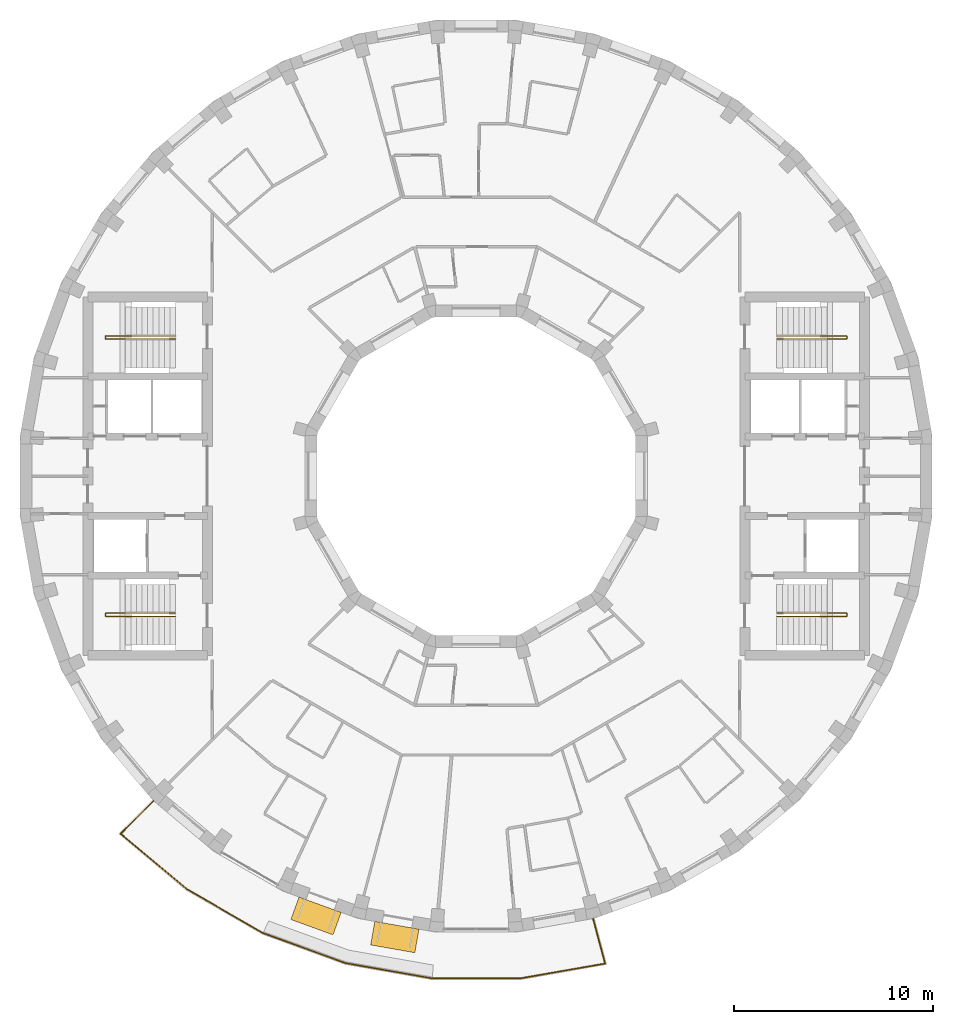
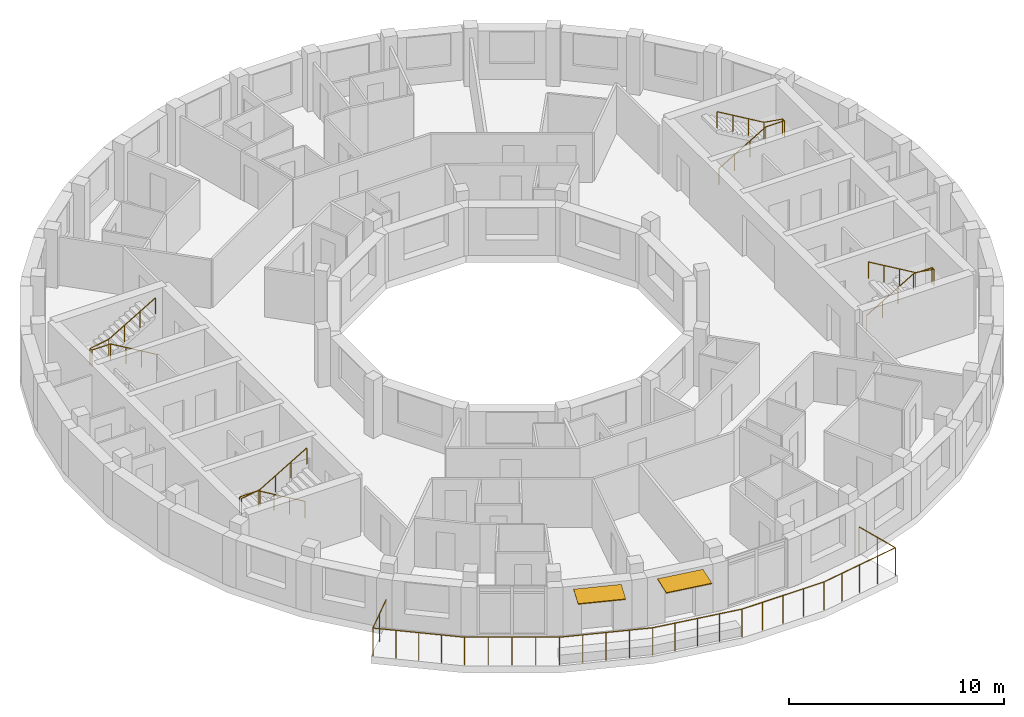
# One storey, part 12 of 12: 5 railings, 2 shading devices.
"""IFC4 building model written with IfcOpenShell, lengths in metres."""

from ifc_helpers import new_model, si_unit, direction, frame, origin, origin_2d, place, context, subcontext, project, spatial, rectangle, circle, extrude, material, layer, layer_set, type_object, element, save


model = new_model("IFC4")

# Units and contexts
model_context = context("Model", 3, precision=1e-05, world=origin(), true_north=direction((0.0, 1.0)))
body_context = subcontext(model_context, "Body", "Model", "MODEL_VIEW")
ifc_project = project(units=[si_unit("LENGTHUNIT", "METRE"), si_unit("AREAUNIT", "SQUARE_METRE"), si_unit("VOLUMEUNIT", "CUBIC_METRE"), si_unit("PLANEANGLEUNIT", "RADIAN"), si_unit("MASSUNIT", "GRAM", prefix="KILO")], contexts=[model_context])

# Site, building, storey
site_placement = place(None, origin())
site = spatial("IfcSite", under=ifc_project, at=site_placement, CompositionType="ELEMENT")
building_placement = place(site_placement, origin())
building = spatial("IfcBuilding", under=site, at=building_placement, Name="Saqina Gate Tower", CompositionType="ELEMENT")
storey_placement = place(building_placement, frame((0.0, 0.0, 275.89990234375)))
storey = spatial("IfcBuildingStorey", under=building, at=storey_placement, Name="L79", CompositionType="ELEMENT", Elevation=275.89990234375)

# Shading devices
ifc_material_1 = material(Name="Aluminium and fabric awning", Category="aluminium")
ifc_layer = layer(ifc_material_1, 0.050048828125)
ifc_layer_set = layer_set([ifc_layer], Name="AW-TERRACE")
shading_device_type = type_object("IfcShadingDeviceType", Name="AW-TERRACE", PredefinedType="AWNING", material=ifc_layer_set)
for number, where, z_axis, x_axis, name in (
    (1, (-8.041748046875, -22.094482421875, 2.52490234375), (0.0, 0.0, 1.0), (0.939692620786, -0.342020143326, 0.0), "Terrace awning L79 facet 25"),
    (2, (-4.0830078125, -23.1552734375, 2.52490234375), (0.0, 0.0, 1.0), (0.984807753012, -0.173648177667, 0.0), "Terrace awning L79 facet 26"),
):
    element("IfcShadingDevice", number, at=place(storey_placement, frame(where, z_axis=z_axis, x_axis=x_axis)), inside=storey, type_object=shading_device_type, Name=name, PredefinedType="AWNING", context=body_context, shape_type="SweptSolid", body=[
        extrude(rectangle(XDim=2.251708984375, YDim=1.199951171875, at=origin_2d()), origin(), (0.0, 0.0, 1.0), 0.050048828125),
    ])

# Railings
ifc_material_2 = material(Name="Stainless steel", Category="steel")
railing_type_1 = type_object("IfcRailingType", Name="RL-TERRACE", PredefinedType="GUARDRAIL", material=ifc_material_2)
railing_1_placement = place(storey_placement, frame((-16.16455078125, -16.277587890625, 0.0)))
element("IfcRailing", 3, at=railing_1_placement, inside=storey, type_object=railing_type_1, Name="Terrace guard L79", PredefinedType="GUARDRAIL", context=body_context, shape_type="SweptSolid", body=[
    extrude(circle(Radius=0.02392578125, at=origin_2d()), frame((0.0, 0.0, 1.576171875), z_axis=(-0.707055676733, -0.707157881947, 0.0), x_axis=(0.707157881947, -0.707055676733, 0.0)), (0.0, 0.0, 1.0), 2.388671875),
    extrude(circle(Radius=0.02392578125, at=origin_2d()), frame((-1.68896484375, -1.689208984375, 1.576171875), z_axis=(0.76705217952, -0.641584720745, 0.0), x_axis=(0.641584720745, 0.76705217952, 0.0)), (0.0, 0.0, 1.0), 4.33544921875),
    extrude(circle(Radius=0.02392578125, at=origin_2d()), frame((1.636474609375, -4.470703125, 1.576171875), z_axis=(0.866036415623, -0.49998092645, 0.0), x_axis=(0.49998092645, 0.866036415623, 0.0)), (0.0, 0.0, 1.0), 4.415283203125),
    extrude(circle(Radius=0.02392578125, at=origin_2d()), frame((5.460205078125, -6.67822265625, 1.576171875), z_axis=(0.93969166445, -0.342022770825, 0.0), x_axis=(0.342022770825, 0.93969166445, 0.0)), (0.0, 0.0, 1.0), 4.4150390625),
    extrude(circle(Radius=0.02392578125, at=origin_2d()), frame((9.60888671875, -8.188232421875, 1.576171875), z_axis=(0.984811379451, -0.173627609853, 0.0), x_axis=(0.173627609853, 0.984811379451, 0.0)), (0.0, 0.0, 1.0), 4.415283203125),
    extrude(circle(Radius=0.02392578125, at=origin_2d()), frame((13.95703125, -8.954833984375, 1.576171875), z_axis=(1.0, 0.0, 0.0), x_axis=(0.0, 1.0, 0.0)), (0.0, 0.0, 1.0), 4.4150390625),
    extrude(circle(Radius=0.02392578125, at=origin_2d()), frame((18.3720703125, -8.954833984375, 1.576171875), z_axis=(0.985090409093, 0.172037454969, 0.0), x_axis=(-0.172037454969, 0.985090409093, 0.0)), (0.0, 0.0, 1.0), 4.33544921875),
    extrude(circle(Radius=0.02392578125, at=origin_2d()), frame((22.642822265625, -8.208984375, 1.576171875), z_axis=(-0.258756517988, 0.96594257821, 0.0), x_axis=(-0.96594257821, -0.258756517988, 0.0)), (0.0, 0.0, 1.0), 2.388916015625),
    extrude(circle(Radius=0.02099609375, at=origin_2d()), origin(), (0.0, 0.0, 1.0), 1.552001953125),
    extrude(circle(Radius=0.02099609375, at=origin_2d()), frame((-0.844482421875, -0.8447265625, 0.0)), (0.0, 0.0, 1.0), 1.552001953125),
    extrude(circle(Radius=0.02099609375, at=origin_2d()), frame((-1.68896484375, -1.689208984375, 0.0)), (0.0, 0.0, 1.0), 1.552001953125),
    extrude(circle(Radius=0.02099609375, at=origin_2d()), frame((-0.857666015625, -2.384521484375, 0.0)), (0.0, 0.0, 1.0), 1.552001953125),
    extrude(circle(Radius=0.02099609375, at=origin_2d()), frame((-0.0263671875, -3.080078125, 0.0)), (0.0, 0.0, 1.0), 1.552001953125),
    extrude(circle(Radius=0.02099609375, at=origin_2d()), frame((0.80517578125, -3.775390625, 0.0)), (0.0, 0.0, 1.0), 1.552001953125),
    extrude(circle(Radius=0.02099609375, at=origin_2d()), frame((1.636474609375, -4.470703125, 0.0)), (0.0, 0.0, 1.0), 1.552001953125),
    extrude(circle(Radius=0.02099609375, at=origin_2d()), frame((2.59228515625, -5.0224609375, 0.0)), (0.0, 0.0, 1.0), 1.552001953125),
    extrude(circle(Radius=0.02099609375, at=origin_2d()), frame((3.54833984375, -5.574462890625, 0.0)), (0.0, 0.0, 1.0), 1.552001953125),
    extrude(circle(Radius=0.02099609375, at=origin_2d()), frame((4.50439453125, -6.12646484375, 0.0)), (0.0, 0.0, 1.0), 1.552001953125),
    extrude(circle(Radius=0.02099609375, at=origin_2d()), frame((5.460205078125, -6.67822265625, 0.0)), (0.0, 0.0, 1.0), 1.552001953125),
    extrude(circle(Radius=0.02099609375, at=origin_2d()), frame((6.497314453125, -7.0556640625, 0.0)), (0.0, 0.0, 1.0), 1.552001953125),
    extrude(circle(Radius=0.02099609375, at=origin_2d()), frame((7.53466796875, -7.43310546875, 0.0)), (0.0, 0.0, 1.0), 1.552001953125),
    extrude(circle(Radius=0.02099609375, at=origin_2d()), frame((8.57177734375, -7.810791015625, 0.0)), (0.0, 0.0, 1.0), 1.552001953125),
    extrude(circle(Radius=0.02099609375, at=origin_2d()), frame((9.60888671875, -8.188232421875, 0.0)), (0.0, 0.0, 1.0), 1.552001953125),
    extrude(circle(Radius=0.02099609375, at=origin_2d()), frame((10.69580078125, -8.3798828125, 0.0)), (0.0, 0.0, 1.0), 1.552001953125),
    extrude(circle(Radius=0.02099609375, at=origin_2d()), frame((11.782958984375, -8.571533203125, 0.0)), (0.0, 0.0, 1.0), 1.552001953125),
    extrude(circle(Radius=0.02099609375, at=origin_2d()), frame((12.8701171875, -8.76318359375, 0.0)), (0.0, 0.0, 1.0), 1.552001953125),
    extrude(circle(Radius=0.02099609375, at=origin_2d()), frame((13.95703125, -8.954833984375, 0.0)), (0.0, 0.0, 1.0), 1.552001953125),
    extrude(circle(Radius=0.02099609375, at=origin_2d()), frame((15.060791015625, -8.954833984375, 0.0)), (0.0, 0.0, 1.0), 1.552001953125),
    extrude(circle(Radius=0.02099609375, at=origin_2d()), frame((16.16455078125, -8.954833984375, 0.0)), (0.0, 0.0, 1.0), 1.552001953125),
    extrude(circle(Radius=0.02099609375, at=origin_2d()), frame((17.268310546875, -8.954833984375, 0.0)), (0.0, 0.0, 1.0), 1.552001953125),
    extrude(circle(Radius=0.02099609375, at=origin_2d()), frame((18.3720703125, -8.954833984375, 0.0)), (0.0, 0.0, 1.0), 1.552001953125),
    extrude(circle(Radius=0.02099609375, at=origin_2d()), frame((19.439697265625, -8.768310546875, 0.0)), (0.0, 0.0, 1.0), 1.552001953125),
    extrude(circle(Radius=0.02099609375, at=origin_2d()), frame((20.50732421875, -8.58203125, 0.0)), (0.0, 0.0, 1.0), 1.552001953125),
    extrude(circle(Radius=0.02099609375, at=origin_2d()), frame((21.5751953125, -8.3955078125, 0.0)), (0.0, 0.0, 1.0), 1.552001953125),
    extrude(circle(Radius=0.02099609375, at=origin_2d()), frame((22.642822265625, -8.208984375, 0.0)), (0.0, 0.0, 1.0), 1.552001953125),
    extrude(circle(Radius=0.02099609375, at=origin_2d()), frame((22.333740234375, -7.05517578125, 0.0)), (0.0, 0.0, 1.0), 1.552001953125),
    extrude(circle(Radius=0.02099609375, at=origin_2d()), frame((22.024658203125, -5.9013671875, 0.0)), (0.0, 0.0, 1.0), 1.552001953125),
])
ifc_material_3 = material(Name="Stainless steel", Category="steel")
railing_type_2 = type_object("IfcRailingType", Name="STAIR HANDRAIL", PredefinedType="HANDRAIL", material=ifc_material_3)
railing_2_placement = place(storey_placement, frame((15.10009765625, 6.88330078125, 0.1650390625)))
element("IfcRailing", 4, at=railing_2_placement, inside=storey, type_object=railing_type_2, Name="EXIT STAIR 1 HANDRAIL", PredefinedType="HANDRAIL", context=body_context, shape_type="SweptSolid", body=[
    extrude(circle(Radius=0.02392578125, at=origin_2d()), frame((0.0, 0.0, 0.92578125), z_axis=(0.86152411907, 0.0, 0.507716645641), x_axis=(0.0, 1.0, 0.0)), (0.0, 0.0, 1.0), 2.925048828125),
    extrude(circle(Radius=0.02392578125, at=origin_2d()), frame((2.52001953125, 0.0, 2.4111328125), z_axis=(1.0, 0.0, 0.0), x_axis=(0.0, 1.0, 0.0)), (0.0, 0.0, 1.0), 1.0),
    extrude(circle(Radius=0.02392578125, at=origin_2d()), frame((3.52001953125, 0.0, 2.4111328125), z_axis=(0.0, 1.0, 0.0), x_axis=(-1.0, 0.0, 0.0)), (0.0, 0.0, 1.0), 0.158447265625),
    extrude(circle(Radius=0.02392578125, at=origin_2d()), frame((3.52001953125, 0.158447265625, 2.4111328125), z_axis=(-0.98665309941, 0.0, 0.162836302539), x_axis=(0.0, -1.0, 0.0)), (0.0, 0.0, 1.0), 1.013427734375),
    extrude(circle(Radius=0.02392578125, at=origin_2d()), frame((2.52001953125, 0.158447265625, 2.576171875), z_axis=(-0.861560626758, 0.0, 0.507654692109), x_axis=(0.0, -1.0, 0.0)), (0.0, 0.0, 1.0), 2.925048828125),
    extrude(circle(Radius=0.02099609375, at=origin_2d()), origin(), (0.0, 0.0, 1.0), 0.90185546875),
    extrude(circle(Radius=0.02099609375, at=origin_2d()), frame((0.840087890625, 0.0, 0.4951171875)), (0.0, 0.0, 1.0), 0.90185546875),
    extrude(circle(Radius=0.02099609375, at=origin_2d()), frame((1.679931640625, 0.0, 0.989990234375)), (0.0, 0.0, 1.0), 0.90185546875),
    extrude(circle(Radius=0.02099609375, at=origin_2d()), frame((2.52001953125, 0.0, 1.485107421875)), (0.0, 0.0, 1.0), 0.90185546875),
    extrude(circle(Radius=0.02099609375, at=origin_2d()), frame((3.52001953125, 0.0, 1.485107421875)), (0.0, 0.0, 1.0), 0.90185546875),
    extrude(circle(Radius=0.02099609375, at=origin_2d()), frame((3.52001953125, 0.158447265625, 1.485107421875)), (0.0, 0.0, 1.0), 0.90185546875),
    extrude(circle(Radius=0.02099609375, at=origin_2d()), frame((2.52001953125, 0.158447265625, 1.650146484375)), (0.0, 0.0, 1.0), 0.90185546875),
    extrude(circle(Radius=0.02099609375, at=origin_2d()), frame((1.679931640625, 0.158447265625, 2.14501953125)), (0.0, 0.0, 1.0), 0.90185546875),
    extrude(circle(Radius=0.02099609375, at=origin_2d()), frame((0.840087890625, 0.158447265625, 2.64013671875)), (0.0, 0.0, 1.0), 0.90185546875),
    extrude(circle(Radius=0.02099609375, at=origin_2d()), frame((0.0, 0.158447265625, 3.135009765625)), (0.0, 0.0, 1.0), 0.90185546875),
])
railing_3_placement = place(storey_placement, frame((15.10009765625, -6.88330078125, 0.1650390625)))
element("IfcRailing", 5, at=railing_3_placement, inside=storey, type_object=railing_type_2, Name="EXIT STAIR 2 HANDRAIL", PredefinedType="HANDRAIL", context=body_context, shape_type="SweptSolid", body=[
    extrude(circle(Radius=0.02392578125, at=origin_2d()), frame((0.0, 0.0, 0.92578125), z_axis=(0.86152411907, 0.0, 0.507716645641), x_axis=(0.0, 1.0, 0.0)), (0.0, 0.0, 1.0), 2.925048828125),
    extrude(circle(Radius=0.02392578125, at=origin_2d()), frame((2.52001953125, 0.0, 2.4111328125), z_axis=(1.0, 0.0, 0.0), x_axis=(0.0, 1.0, 0.0)), (0.0, 0.0, 1.0), 1.0),
    extrude(circle(Radius=0.02392578125, at=origin_2d()), frame((3.52001953125, 0.0, 2.4111328125), z_axis=(0.0, -1.0, 0.0), x_axis=(1.0, 0.0, 0.0)), (0.0, 0.0, 1.0), 0.158447265625),
    extrude(circle(Radius=0.02392578125, at=origin_2d()), frame((3.52001953125, -0.158447265625, 2.4111328125), z_axis=(-0.98665309941, 0.0, 0.162836302539), x_axis=(0.0, -1.0, 0.0)), (0.0, 0.0, 1.0), 1.013427734375),
    extrude(circle(Radius=0.02392578125, at=origin_2d()), frame((2.52001953125, -0.158447265625, 2.576171875), z_axis=(-0.861560626758, 0.0, 0.507654692109), x_axis=(0.0, -1.0, 0.0)), (0.0, 0.0, 1.0), 2.925048828125),
    extrude(circle(Radius=0.02099609375, at=origin_2d()), origin(), (0.0, 0.0, 1.0), 0.90185546875),
    extrude(circle(Radius=0.02099609375, at=origin_2d()), frame((0.840087890625, 0.0, 0.4951171875)), (0.0, 0.0, 1.0), 0.90185546875),
    extrude(circle(Radius=0.02099609375, at=origin_2d()), frame((1.679931640625, 0.0, 0.989990234375)), (0.0, 0.0, 1.0), 0.90185546875),
    extrude(circle(Radius=0.02099609375, at=origin_2d()), frame((2.52001953125, 0.0, 1.485107421875)), (0.0, 0.0, 1.0), 0.90185546875),
    extrude(circle(Radius=0.02099609375, at=origin_2d()), frame((3.52001953125, 0.0, 1.485107421875)), (0.0, 0.0, 1.0), 0.90185546875),
    extrude(circle(Radius=0.02099609375, at=origin_2d()), frame((3.52001953125, -0.158447265625, 1.485107421875)), (0.0, 0.0, 1.0), 0.90185546875),
    extrude(circle(Radius=0.02099609375, at=origin_2d()), frame((2.52001953125, -0.158447265625, 1.650146484375)), (0.0, 0.0, 1.0), 0.90185546875),
    extrude(circle(Radius=0.02099609375, at=origin_2d()), frame((1.679931640625, -0.158447265625, 2.14501953125)), (0.0, 0.0, 1.0), 0.90185546875),
    extrude(circle(Radius=0.02099609375, at=origin_2d()), frame((0.840087890625, -0.158447265625, 2.64013671875)), (0.0, 0.0, 1.0), 0.90185546875),
    extrude(circle(Radius=0.02099609375, at=origin_2d()), frame((0.0, -0.158447265625, 3.135009765625)), (0.0, 0.0, 1.0), 0.90185546875),
])
railing_4_placement = place(storey_placement, frame((-15.10009765625, 6.88330078125, 0.1650390625)))
element("IfcRailing", 6, at=railing_4_placement, inside=storey, type_object=railing_type_2, Name="EXIT STAIR 3 HANDRAIL", PredefinedType="HANDRAIL", context=body_context, shape_type="SweptSolid", body=[
    extrude(circle(Radius=0.02392578125, at=origin_2d()), frame((0.0, 0.0, 0.92578125), z_axis=(-0.86152411907, 0.0, 0.507716645641), x_axis=(0.0, -1.0, 0.0)), (0.0, 0.0, 1.0), 2.925048828125),
    extrude(circle(Radius=0.02392578125, at=origin_2d()), frame((-2.52001953125, 0.0, 2.4111328125), z_axis=(-1.0, 0.0, 0.0), x_axis=(0.0, -1.0, 0.0)), (0.0, 0.0, 1.0), 1.0),
    extrude(circle(Radius=0.02392578125, at=origin_2d()), frame((-3.52001953125, 0.0, 2.4111328125), z_axis=(0.0, 1.0, 0.0), x_axis=(-1.0, 0.0, 0.0)), (0.0, 0.0, 1.0), 0.158447265625),
    extrude(circle(Radius=0.02392578125, at=origin_2d()), frame((-3.52001953125, 0.158447265625, 2.4111328125), z_axis=(0.98665309941, 0.0, 0.162836302539), x_axis=(0.0, 1.0, 0.0)), (0.0, 0.0, 1.0), 1.013427734375),
    extrude(circle(Radius=0.02392578125, at=origin_2d()), frame((-2.52001953125, 0.158447265625, 2.576171875), z_axis=(0.861560626758, 0.0, 0.507654692109), x_axis=(0.0, 1.0, 0.0)), (0.0, 0.0, 1.0), 2.925048828125),
    extrude(circle(Radius=0.02099609375, at=origin_2d()), origin(), (0.0, 0.0, 1.0), 0.90185546875),
    extrude(circle(Radius=0.02099609375, at=origin_2d()), frame((-0.840087890625, 0.0, 0.4951171875)), (0.0, 0.0, 1.0), 0.90185546875),
    extrude(circle(Radius=0.02099609375, at=origin_2d()), frame((-1.679931640625, 0.0, 0.989990234375)), (0.0, 0.0, 1.0), 0.90185546875),
    extrude(circle(Radius=0.02099609375, at=origin_2d()), frame((-2.52001953125, 0.0, 1.485107421875)), (0.0, 0.0, 1.0), 0.90185546875),
    extrude(circle(Radius=0.02099609375, at=origin_2d()), frame((-3.52001953125, 0.0, 1.485107421875)), (0.0, 0.0, 1.0), 0.90185546875),
    extrude(circle(Radius=0.02099609375, at=origin_2d()), frame((-3.52001953125, 0.158447265625, 1.485107421875)), (0.0, 0.0, 1.0), 0.90185546875),
    extrude(circle(Radius=0.02099609375, at=origin_2d()), frame((-2.52001953125, 0.158447265625, 1.650146484375)), (0.0, 0.0, 1.0), 0.90185546875),
    extrude(circle(Radius=0.02099609375, at=origin_2d()), frame((-1.679931640625, 0.158447265625, 2.14501953125)), (0.0, 0.0, 1.0), 0.90185546875),
    extrude(circle(Radius=0.02099609375, at=origin_2d()), frame((-0.840087890625, 0.158447265625, 2.64013671875)), (0.0, 0.0, 1.0), 0.90185546875),
    extrude(circle(Radius=0.02099609375, at=origin_2d()), frame((0.0, 0.158447265625, 3.135009765625)), (0.0, 0.0, 1.0), 0.90185546875),
])
railing_5_placement = place(storey_placement, frame((-15.10009765625, -6.88330078125, 0.1650390625)))
element("IfcRailing", 7, at=railing_5_placement, inside=storey, type_object=railing_type_2, Name="EXIT STAIR 4 HANDRAIL", PredefinedType="HANDRAIL", context=body_context, shape_type="SweptSolid", body=[
    extrude(circle(Radius=0.02392578125, at=origin_2d()), frame((0.0, 0.0, 0.92578125), z_axis=(-0.86152411907, 0.0, 0.507716645641), x_axis=(0.0, -1.0, 0.0)), (0.0, 0.0, 1.0), 2.925048828125),
    extrude(circle(Radius=0.02392578125, at=origin_2d()), frame((-2.52001953125, 0.0, 2.4111328125), z_axis=(-1.0, 0.0, 0.0), x_axis=(0.0, -1.0, 0.0)), (0.0, 0.0, 1.0), 1.0),
    extrude(circle(Radius=0.02392578125, at=origin_2d()), frame((-3.52001953125, 0.0, 2.4111328125), z_axis=(0.0, -1.0, 0.0), x_axis=(1.0, 0.0, 0.0)), (0.0, 0.0, 1.0), 0.158447265625),
    extrude(circle(Radius=0.02392578125, at=origin_2d()), frame((-3.52001953125, -0.158447265625, 2.4111328125), z_axis=(0.98665309941, 0.0, 0.162836302539), x_axis=(0.0, 1.0, 0.0)), (0.0, 0.0, 1.0), 1.013427734375),
    extrude(circle(Radius=0.02392578125, at=origin_2d()), frame((-2.52001953125, -0.158447265625, 2.576171875), z_axis=(0.861560626758, 0.0, 0.507654692109), x_axis=(0.0, 1.0, 0.0)), (0.0, 0.0, 1.0), 2.925048828125),
    extrude(circle(Radius=0.02099609375, at=origin_2d()), origin(), (0.0, 0.0, 1.0), 0.90185546875),
    extrude(circle(Radius=0.02099609375, at=origin_2d()), frame((-0.840087890625, 0.0, 0.4951171875)), (0.0, 0.0, 1.0), 0.90185546875),
    extrude(circle(Radius=0.02099609375, at=origin_2d()), frame((-1.679931640625, 0.0, 0.989990234375)), (0.0, 0.0, 1.0), 0.90185546875),
    extrude(circle(Radius=0.02099609375, at=origin_2d()), frame((-2.52001953125, 0.0, 1.485107421875)), (0.0, 0.0, 1.0), 0.90185546875),
    extrude(circle(Radius=0.02099609375, at=origin_2d()), frame((-3.52001953125, 0.0, 1.485107421875)), (0.0, 0.0, 1.0), 0.90185546875),
    extrude(circle(Radius=0.02099609375, at=origin_2d()), frame((-3.52001953125, -0.158447265625, 1.485107421875)), (0.0, 0.0, 1.0), 0.90185546875),
    extrude(circle(Radius=0.02099609375, at=origin_2d()), frame((-2.52001953125, -0.158447265625, 1.650146484375)), (0.0, 0.0, 1.0), 0.90185546875),
    extrude(circle(Radius=0.02099609375, at=origin_2d()), frame((-1.679931640625, -0.158447265625, 2.14501953125)), (0.0, 0.0, 1.0), 0.90185546875),
    extrude(circle(Radius=0.02099609375, at=origin_2d()), frame((-0.840087890625, -0.158447265625, 2.64013671875)), (0.0, 0.0, 1.0), 0.90185546875),
    extrude(circle(Radius=0.02099609375, at=origin_2d()), frame((0.0, -0.158447265625, 3.135009765625)), (0.0, 0.0, 1.0), 0.90185546875),
])

save(model, "model.ifc")
